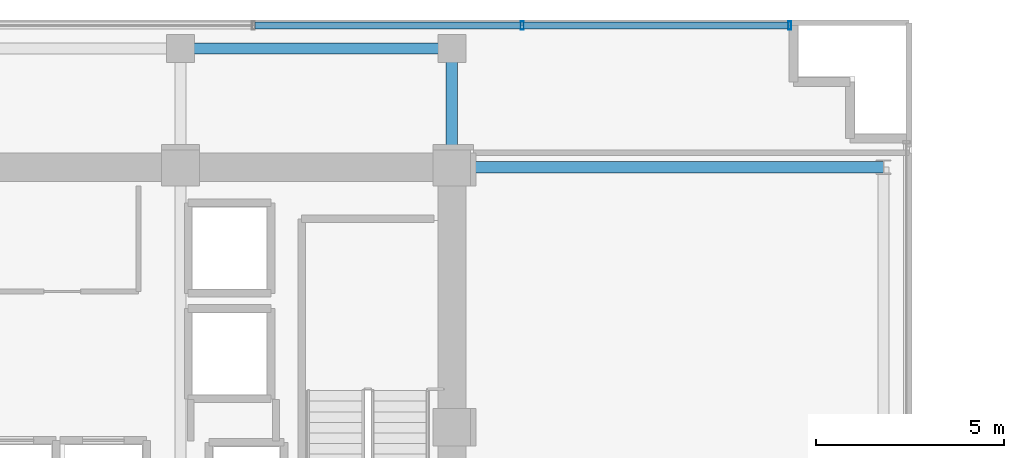
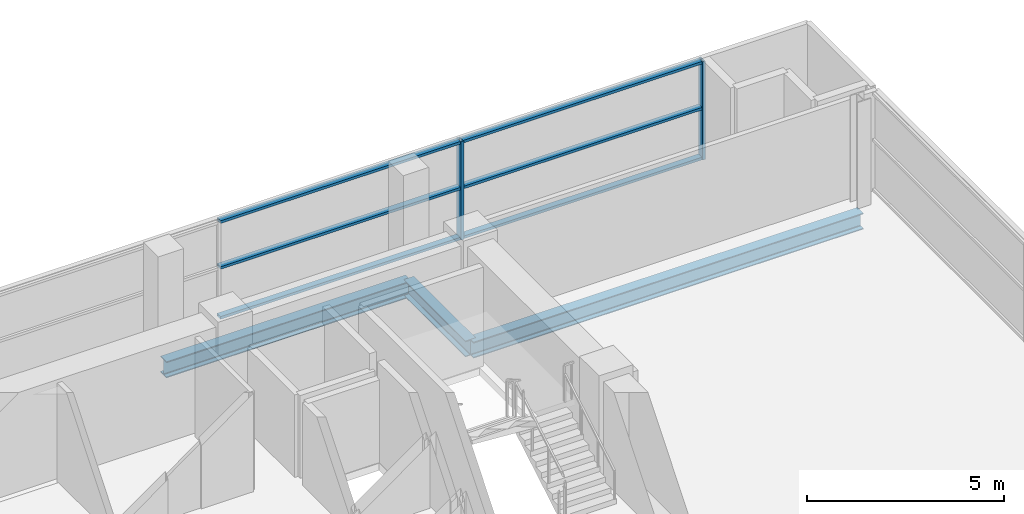
# One storey, part 13 of 23: 8 members, 3 beams, 1 element without a shape of its own.
"""IFC4 building model written with IfcOpenShell, lengths in metres."""

import ifcopenshell
import ifcopenshell.guid

model = None  # the IFC model being written
_history = None  # IfcOwnerHistory: only IFC2X3 demands one
_inside = {}  # id of a spatial element -> (the spatial element, [elements in it])
_under = {}  # id of a project, library or spatial element -> (it, [spatial elements below it])
_declared = {}  # id of a project -> (the project, [libraries it declares])
_typed = {}  # id of a type object -> (the type object, [elements of that type])
_made_of = {}  # id of a material, layer set ... -> (it, [elements and type objects made of it])


def new_model(schema):
    """Start an empty IFC model of exactly this schema.

    Asked for "IFC4X3", IfcOpenShell would pick the latest addendum, in which some entities
    have other attributes; the version numbers below select the first issue.
    IFC2X3 requires an IfcOwnerHistory on every rooted entity: one is made here for all.
    """
    global model, _history
    if schema == "IFC4X3":
        model = ifcopenshell.file(schema_version=(4, 3, 0, 0))
    else:
        model = ifcopenshell.file(schema=schema)
    _inside.clear()
    _under.clear()
    _declared.clear()
    _typed.clear()
    _made_of.clear()
    _history = None
    if model.schema == "IFC2X3":
        org = make("IfcOrganization", Name="unknown")
        user = make(
            "IfcPersonAndOrganization",
            ThePerson=make("IfcPerson", FamilyName="unknown"),
            TheOrganization=org,
        )
        app = make(
            "IfcApplication",
            ApplicationDeveloper=org,
            Version="unknown",
            ApplicationFullName="unknown",
            ApplicationIdentifier="unknown",
        )
        _history = make(
            "IfcOwnerHistory",
            OwningUser=user,
            OwningApplication=app,
            ChangeAction="ADDED",
            CreationDate=0,
        )
    return model


def make(cls, **values):
    """One entity of the class cls with the attributes given. An attribute that is None is left unset."""
    return model.create_entity(
        cls, **{name: value for name, value in values.items() if value is not None}
    )


def rooted(cls, **values):
    """An entity with a GlobalId (a new one), such as an element, a storey or a relation."""
    return make(cls, GlobalId=ifcopenshell.guid.new(), OwnerHistory=_history, **values)


def si_unit(unit_type, name, prefix=None):
    """IfcSIUnit, for example si_unit("LENGTHUNIT", "METRE", prefix="MILLI")."""
    return make("IfcSIUnit", UnitType=unit_type, Prefix=prefix, Name=name)


def assignment(units):
    """IfcUnitAssignment: the units of a project."""
    return None if units is None else make("IfcUnitAssignment", Units=units)


def point(xyz):
    """IfcCartesianPoint."""
    return None if xyz is None else make("IfcCartesianPoint", Coordinates=xyz)


def direction(xyz):
    """IfcDirection."""
    return None if xyz is None else make("IfcDirection", DirectionRatios=xyz)


def frame(location, z_axis=None, x_axis=None):
    """IfcAxis2Placement3D, a coordinate frame: its origin and axes. An axis left out is left unset."""
    return make(
        "IfcAxis2Placement3D",
        Location=point(location),
        Axis=direction(z_axis),
        RefDirection=direction(x_axis),
    )


def frame_2d(location, x_axis=None):
    """IfcAxis2Placement2D, a coordinate frame in the plane: its origin and x axis."""
    return make(
        "IfcAxis2Placement2D", Location=point(location), RefDirection=direction(x_axis)
    )


def origin():
    """The frame at (0, 0, 0) with its axes left unset."""
    return frame((0.0, 0.0, 0.0))


def origin_2d():
    """The frame at (0, 0) in the plane with its x axis left unset."""
    return frame_2d((0.0, 0.0))


def place(relative_to, where):
    """IfcLocalPlacement: puts the frame where relative to a parent placement (None: the world)."""
    return make(
        "IfcLocalPlacement", PlacementRelTo=relative_to, RelativePlacement=where
    )


def context(
    kind, dimensions, precision=None, world=None, true_north=None, identifier=None
):
    """IfcGeometricRepresentationContext, for example the 3D "Model" context."""
    return make(
        "IfcGeometricRepresentationContext",
        ContextIdentifier=identifier,
        ContextType=kind,
        CoordinateSpaceDimension=dimensions,
        Precision=precision,
        WorldCoordinateSystem=world,
        TrueNorth=true_north,
    )


def subcontext(parent, identifier, kind, view, scale=None):
    """IfcGeometricRepresentationSubContext, for example "Body" below "Model"."""
    return make(
        "IfcGeometricRepresentationSubContext",
        ContextIdentifier=identifier,
        ContextType=kind,
        ParentContext=parent,
        TargetScale=scale,
        TargetView=view,
    )


def project(units=None, contexts=None):
    """IfcProject with its units and contexts."""
    return rooted(
        "IfcProject",
        Name="project",
        RepresentationContexts=contexts,
        UnitsInContext=assignment(units),
    )


def spatial(cls, under=None, at=None, **own):
    """A site, building, storey or space (cls), placed at a placement, below another one or the project."""
    s = rooted(cls, ObjectPlacement=at, **own)
    if under is not None:
        _under.setdefault(under.id(), (under, []))[1].append(s)
    return s


def profile(cls, at=None, kind="AREA", **sizes):
    """A parametric profile (cls). Its sizes go by their IFC names, for example OverallWidth=200.0."""
    return make(cls, ProfileType=kind, Position=at, **sizes)


def hollow_rectangle(**sizes):
    """IfcRectangleHollowProfileDef."""
    return profile("IfcRectangleHollowProfileDef", **sizes)


def i_section(**sizes):
    """IfcIShapeProfileDef."""
    return profile("IfcIShapeProfileDef", **sizes)


def extrude(swept, where, along, depth):
    """IfcExtrudedAreaSolid: the profile swept, set in the frame where, extruded along a direction by depth."""
    return make(
        "IfcExtrudedAreaSolid",
        SweptArea=swept,
        Position=where,
        ExtrudedDirection=direction(along),
        Depth=depth,
    )


def shape(context_of_items, identifier, shape_type, items):
    """IfcShapeRepresentation: the items that make up one representation, for example the "Body"."""
    return make(
        "IfcShapeRepresentation",
        ContextOfItems=context_of_items,
        RepresentationIdentifier=identifier,
        RepresentationType=shape_type,
        Items=items,
    )


def source(mapping_origin, context_of_items, identifier, shape_type, items):
    """IfcRepresentationMap: a shape defined once, which mapped items show again and again."""
    return make(
        "IfcRepresentationMap",
        MappingOrigin=mapping_origin,
        MappedRepresentation=shape(context_of_items, identifier, shape_type, items),
    )


def transform(
    local_origin,
    x_axis=None,
    y_axis=None,
    z_axis=None,
    scale=None,
    scale2=None,
    scale3=None,
    uniform=True,
):
    """IfcCartesianTransformationOperator3D, or its non-uniform kind. x_axis, y_axis, z_axis: its Axis1, 2, 3."""
    if uniform:
        return make(
            "IfcCartesianTransformationOperator3D",
            Axis1=direction(x_axis),
            Axis2=direction(y_axis),
            LocalOrigin=point(local_origin),
            Scale=scale,
            Axis3=direction(z_axis),
        )
    return make(
        "IfcCartesianTransformationOperator3DnonUniform",
        Axis1=direction(x_axis),
        Axis2=direction(y_axis),
        LocalOrigin=point(local_origin),
        Scale=scale,
        Axis3=direction(z_axis),
        Scale2=scale2,
        Scale3=scale3,
    )


def mapped(mapping_source, mapping_target):
    """IfcMappedItem: shows the shape of a source again, moved by a transform."""
    return make(
        "IfcMappedItem", MappingSource=mapping_source, MappingTarget=mapping_target
    )


def material(Name=None, Category=None):
    """IfcMaterial."""
    return make("IfcMaterial", Name=Name, Category=Category)


def layer(
    of_material, thickness, ventilated=None, Name=None, Category=None, Priority=None
):
    """IfcMaterialLayer: one layer of a wall or slab, of a material (None: an air gap)."""
    return make(
        "IfcMaterialLayer",
        Material=of_material,
        LayerThickness=thickness,
        IsVentilated=ventilated,
        Name=Name,
        Category=Category,
        Priority=Priority,
    )


def layer_set(layers, Name=None):
    """IfcMaterialLayerSet."""
    return make("IfcMaterialLayerSet", MaterialLayers=layers, LayerSetName=Name)


def material_profile(
    of_material, cross_section, Name=None, Category=None, Priority=None
):
    """IfcMaterialProfile: a cross section and its material."""
    return make(
        "IfcMaterialProfile",
        Name=Name,
        Material=of_material,
        Profile=cross_section,
        Priority=Priority,
        Category=Category,
    )


def profile_set(profiles, Name=None, composite=None):
    """IfcMaterialProfileSet."""
    return make(
        "IfcMaterialProfileSet",
        Name=Name,
        MaterialProfiles=profiles,
        CompositeProfile=composite,
    )


def made_of(thing, what):
    """Note that an element or type object is made of a material, layer set ...; save() writes the relation."""
    if what is not None:
        _made_of.setdefault(what.id(), (what, []))[1].append(thing)
    return thing


def type_object(cls, material=None, **own):
    """A type object (cls), such as IfcWallType, which elements share."""
    return made_of(rooted(cls, **own), material)


def element(
    cls,
    number,
    at=None,
    inside=None,
    cuts=None,
    type_object=None,
    material=None,
    context=None,
    identifier="Body",
    shape_type=None,
    held_by="IfcProductDefinitionShape",
    body=None,
    shapes=None,
    **own,
):
    """One element of the class cls, such as IfcWall. Its Tag is "e" and its number.

    at: its placement. inside: the storey or other place that contains it. cuts: it is an
    opening in that element (IfcRelVoidsElement). A single representation is given by context,
    identifier, shape_type and body (its items); several are given by shapes. held_by: the class
    of the entity that holds the representations. save() writes the other relations.
    """
    e = rooted(cls, Tag="e%d" % number, ObjectPlacement=at, **own)
    if body is not None:
        shapes = [shape(context, identifier, shape_type, body)]
    if shapes is not None:
        e.Representation = make(held_by, Representations=shapes)
    if inside is not None:
        _inside.setdefault(inside.id(), (inside, []))[1].append(e)
    if cuts is not None:
        rooted(
            "IfcRelVoidsElement", RelatingBuildingElement=cuts, RelatedOpeningElement=e
        )
    if type_object is not None:
        _typed.setdefault(type_object.id(), (type_object, []))[1].append(e)
    return made_of(e, material)


def aggregate(whole, parts):
    """IfcRelAggregates: a whole, such as a stair, and the parts it consists of."""
    return rooted("IfcRelAggregates", RelatingObject=whole, RelatedObjects=parts)


def save(model, path):
    """Write the relations noted so far, then the file.

    IfcRelAggregates (storeys below a building ...), IfcRelContainedInSpatialStructure (elements
    in a storey), IfcRelDefinesByType, IfcRelAssociatesMaterial and IfcRelDeclares: one each for
    every whole, place, type object, material and project.
    """
    for whole, parts in _under.values():
        aggregate(whole, parts)
    for where, things in _inside.values():
        rooted(
            "IfcRelContainedInSpatialStructure",
            RelatedElements=things,
            RelatingStructure=where,
        )
    for kind, things in _typed.values():
        rooted("IfcRelDefinesByType", RelatedObjects=things, RelatingType=kind)
    for what, things in _made_of.values():
        rooted("IfcRelAssociatesMaterial", RelatedObjects=things, RelatingMaterial=what)
    for by, libraries in _declared.values():
        rooted("IfcRelDeclares", RelatingContext=by, RelatedDefinitions=libraries)
    model.write(path)


model = new_model("IFC4")

# Units and contexts
model_context = context("Model", 3, precision=1e-05, world=origin(), true_north=direction((0.0, 1.0)))
body_context = subcontext(model_context, "Body", "Model", "MODEL_VIEW")
ifc_project = project(units=[si_unit("LENGTHUNIT", "METRE"), si_unit("AREAUNIT", "SQUARE_METRE"), si_unit("VOLUMEUNIT", "CUBIC_METRE"), si_unit("PLANEANGLEUNIT", "RADIAN"), si_unit("MASSUNIT", "GRAM", prefix="KILO")], contexts=[model_context])

# Site, building, storey
site_placement = place(None, origin())
site = spatial("IfcSite", under=ifc_project, at=site_placement, CompositionType="ELEMENT")
building_placement = place(site_placement, origin())
building = spatial("IfcBuilding", under=site, at=building_placement, Name="Zarnakvel Exchange Tower", CompositionType="ELEMENT")
storey_placement = place(building_placement, frame((0.0, 0.0, 175.89990234375)))
storey = spatial("IfcBuildingStorey", under=building, at=storey_placement, Name="L49", CompositionType="ELEMENT", Elevation=175.89990234375)

# Beams
ifc_material_1 = material(Name="Steel S355", Category="steel")
ifc_material_profile_1 = material_profile(ifc_material_1, i_section(OverallWidth=0.300048828125, OverallDepth=0.5, WebThickness=0.014404296875, FlangeThickness=0.028076171875, FilletRadius=0.027099609375, at=origin_2d()))
ifc_profile_set_1 = profile_set([ifc_material_profile_1], Name="Steel S355")
beam_type_1 = type_object("IfcBeamType", Name="G-06", PredefinedType="BEAM", material=ifc_profile_set_1)
beam_1_placement = place(storey_placement, frame((14.39990234375, 13.5, -0.474853515625), z_axis=(1.0, 0.0, 0.0), x_axis=(0.0, 1.0, 0.0)))
element("IfcBeam", 1, at=beam_1_placement, inside=storey, type_object=beam_type_1, Name="L49 Tower E-W Frame Beam", PredefinedType="BEAM", context=body_context, shape_type="SweptSolid", body=[
    extrude(i_section(OverallWidth=0.300048828125, OverallDepth=0.5, WebThickness=0.014404296875, FlangeThickness=0.028076171875, FilletRadius=0.027099609375, at=origin_2d()), origin(), (0.0, 0.0, 1.0), 11.4501953125),
])
beam_2_placement = place(storey_placement, frame((14.39990234375, 13.5, -0.474853515625), z_axis=(0.0, 1.0, 0.0), x_axis=(-1.0, 0.0, 0.0)))
element("IfcBeam", 2, at=beam_2_placement, inside=storey, type_object=beam_type_1, Name="L49 Tower N-S Frame Beam", PredefinedType="BEAM", context=body_context, shape_type="SweptSolid", body=[
    extrude(i_section(OverallWidth=0.300048828125, OverallDepth=0.5, WebThickness=0.014404296875, FlangeThickness=0.028076171875, FilletRadius=0.027099609375, at=origin_2d()), origin(), (0.0, 0.0, 1.0), 3.14990234375),
])
ifc_material_profile_2 = material_profile(ifc_material_1, i_section(OverallWidth=0.300048828125, OverallDepth=0.5, WebThickness=0.014404296875, FlangeThickness=0.028076171875, FilletRadius=0.027099609375, at=origin_2d()))
ifc_profile_set_2 = profile_set([ifc_material_profile_2], Name="Steel S355")
beam_type_2 = type_object("IfcBeamType", Name="SP-02", PredefinedType="SPANDREL", material=ifc_profile_set_2)
beam_3_placement = place(storey_placement, frame((7.199951171875, 16.64990234375, -0.474853515625), z_axis=(1.0, 0.0, 0.0), x_axis=(0.0, 1.0, 0.0)))
element("IfcBeam", 3, at=beam_3_placement, inside=storey, type_object=beam_type_2, Name="L49 Tower E-W Frame Beam", PredefinedType="SPANDREL", context=body_context, shape_type="SweptSolid", body=[
    extrude(i_section(OverallWidth=0.300048828125, OverallDepth=0.5, WebThickness=0.014404296875, FlangeThickness=0.028076171875, FilletRadius=0.027099609375, at=origin_2d()), origin(), (0.0, 0.0, 1.0), 7.199951171875),
])

# Curtain wall, members
ifc_material_2 = material(Name="Architectural Bronze Anodised Aluminium", Category="aluminium")
ifc_layer = layer(ifc_material_2, 0.219970703125)
ifc_layer_set = layer_set([ifc_layer], Name="Architectural Bronze Anodised Aluminium")
curtain_wall_type = type_object("IfcCurtainWallType", Name="CW-03", PredefinedType="NOTDEFINED", material=ifc_layer_set)
curtain_wall_placement = place(storey_placement, origin())
curtain_wall = element("IfcCurtainWall", 4, at=curtain_wall_placement, inside=storey, type_object=curtain_wall_type, Name="L49 Curtain Wall CW-L49-N1 (CW-03)", PredefinedType="NOTDEFINED")
ifc_material_profile_3 = material_profile(ifc_material_2, hollow_rectangle(XDim=0.179931640625, YDim=0.080078125, WallThickness=0.00390625, at=origin_2d()))
ifc_profile_set_3 = profile_set([ifc_material_profile_3], Name="Architectural Bronze Anodised Aluminium")
member_type_1 = type_object("IfcMemberType", Name="CWT-03", PredefinedType="USERDEFINED", material=ifc_profile_set_3)
shared_shape_1 = source(origin(), body_context, "Body", "SweptSolid", [
    extrude(hollow_rectangle(XDim=0.179931640625, YDim=0.080078125, WallThickness=0.00390625, at=origin_2d()), origin(), (0.0, 0.0, 1.0), 7.013427734375),
])
member_1_placement = place(storey_placement, frame((16.306640625, 17.260009765625, 0.0400390625), z_axis=(1.0, 0.0, 0.0), x_axis=(0.0, 1.0, 0.0)))
member_1 = element("IfcMember", 5, at=member_1_placement, type_object=member_type_1, Name="CW-03 transom 6.1", ObjectType="TRANSOM", PredefinedType="USERDEFINED", context=body_context, shape_type="MappedRepresentation", body=[
    mapped(shared_shape_1, transform((0.0, 0.0, 0.0), x_axis=(1.0, 0.0, 0.0), y_axis=(0.0, 1.0, 0.0), z_axis=(0.0, 0.0, 1.0), scale=1.0)),
])
member_2_placement = place(storey_placement, frame((16.306640625, 17.260009765625, 1.588623046875), z_axis=(1.0, 0.0, 0.0), x_axis=(0.0, 1.0, 0.0)))
member_2 = element("IfcMember", 6, at=member_2_placement, type_object=member_type_1, Name="CW-03 transom 6.2", ObjectType="TRANSOM", PredefinedType="USERDEFINED", context=body_context, shape_type="MappedRepresentation", body=[
    mapped(shared_shape_1, transform((0.0, 0.0, 0.0), x_axis=(1.0, 0.0, 0.0), y_axis=(0.0, 1.0, 0.0), z_axis=(0.0, 0.0, 1.0), scale=1.0)),
])
member_3_placement = place(storey_placement, frame((16.306640625, 17.260009765625, 3.01513671875), z_axis=(1.0, 0.0, 0.0), x_axis=(0.0, 1.0, 0.0)))
member_3 = element("IfcMember", 7, at=member_3_placement, type_object=member_type_1, Name="CW-03 transom 6.3", ObjectType="TRANSOM", PredefinedType="USERDEFINED", context=body_context, shape_type="MappedRepresentation", body=[
    mapped(shared_shape_1, transform((0.0, 0.0, 0.0), x_axis=(1.0, 0.0, 0.0), y_axis=(0.0, 1.0, 0.0), z_axis=(0.0, 0.0, 1.0), scale=1.0)),
])
shared_shape_2 = source(origin(), body_context, "Body", "SweptSolid", [
    extrude(hollow_rectangle(XDim=0.179931640625, YDim=0.080078125, WallThickness=0.00390625, at=origin_2d()), origin(), (0.0, 0.0, 1.0), 7.05322265625),
])
member_4_placement = place(storey_placement, frame((9.17333984375, 17.260009765625, 0.0400390625), z_axis=(1.0, 0.0, 0.0), x_axis=(0.0, 1.0, 0.0)))
member_4 = element("IfcMember", 8, at=member_4_placement, type_object=member_type_1, Name="CW-03 transom 5.1", ObjectType="TRANSOM", PredefinedType="USERDEFINED", context=body_context, shape_type="MappedRepresentation", body=[
    mapped(shared_shape_2, transform((0.0, 0.0, 0.0), x_axis=(1.0, 0.0, 0.0), y_axis=(0.0, 1.0, 0.0), z_axis=(0.0, 0.0, 1.0), scale=1.0)),
])
member_5_placement = place(storey_placement, frame((9.17333984375, 17.260009765625, 1.588623046875), z_axis=(1.0, 0.0, 0.0), x_axis=(0.0, 1.0, 0.0)))
member_5 = element("IfcMember", 9, at=member_5_placement, type_object=member_type_1, Name="CW-03 transom 5.2", ObjectType="TRANSOM", PredefinedType="USERDEFINED", context=body_context, shape_type="MappedRepresentation", body=[
    mapped(shared_shape_2, transform((0.0, 0.0, 0.0), x_axis=(1.0, 0.0, 0.0), y_axis=(0.0, 1.0, 0.0), z_axis=(0.0, 0.0, 1.0), scale=1.0)),
])
member_6_placement = place(storey_placement, frame((9.17333984375, 17.260009765625, 3.01513671875), z_axis=(1.0, 0.0, 0.0), x_axis=(0.0, 1.0, 0.0)))
member_6 = element("IfcMember", 10, at=member_6_placement, type_object=member_type_1, Name="CW-03 transom 5.3", ObjectType="TRANSOM", PredefinedType="USERDEFINED", context=body_context, shape_type="MappedRepresentation", body=[
    mapped(shared_shape_2, transform((0.0, 0.0, 0.0), x_axis=(1.0, 0.0, 0.0), y_axis=(0.0, 1.0, 0.0), z_axis=(0.0, 0.0, 1.0), scale=1.0)),
])
ifc_material_profile_4 = material_profile(ifc_material_2, hollow_rectangle(XDim=0.219970703125, YDim=0.080078125, WallThickness=0.0048828125, at=origin_2d()))
ifc_profile_set_4 = profile_set([ifc_material_profile_4], Name="Architectural Bronze Anodised Aluminium")
member_type_2 = type_object("IfcMemberType", Name="CWM-03", PredefinedType="MULLION", material=ifc_profile_set_4)
shared_shape_3 = source(origin(), body_context, "Body", "SweptSolid", [
    extrude(hollow_rectangle(XDim=0.219970703125, YDim=0.080078125, WallThickness=0.0048828125, at=origin_2d()), origin(), (0.0, 0.0, 1.0), 3.05517578125),
])
member_7_placement = place(storey_placement, frame((16.2666015625, 17.260009765625, 0.0), z_axis=(0.0, 0.0, 1.0), x_axis=(0.0, 1.0, 0.0)))
member_7 = element("IfcMember", 11, at=member_7_placement, type_object=member_type_2, Name="CW-03 mullion 6", PredefinedType="MULLION", context=body_context, shape_type="MappedRepresentation", body=[
    mapped(shared_shape_3, transform((0.0, 0.0, 0.0), x_axis=(1.0, 0.0, 0.0), y_axis=(0.0, 1.0, 0.0), z_axis=(0.0, 0.0, 1.0), scale=1.0)),
])
member_8_placement = place(storey_placement, frame((23.360107421875, 17.260009765625, 0.0), z_axis=(0.0, 0.0, 1.0), x_axis=(0.0, 1.0, 0.0)))
member_8 = element("IfcMember", 12, at=member_8_placement, type_object=member_type_2, Name="CW-03 mullion 7", PredefinedType="MULLION", context=body_context, shape_type="MappedRepresentation", body=[
    mapped(shared_shape_3, transform((0.0, 0.0, 0.0), x_axis=(1.0, 0.0, 0.0), y_axis=(0.0, 1.0, 0.0), z_axis=(0.0, 0.0, 1.0), scale=1.0)),
])
aggregate(curtain_wall, [member_7, member_8, member_4, member_5, member_6, member_1, member_2, member_3])

save(model, "model.ifc")
